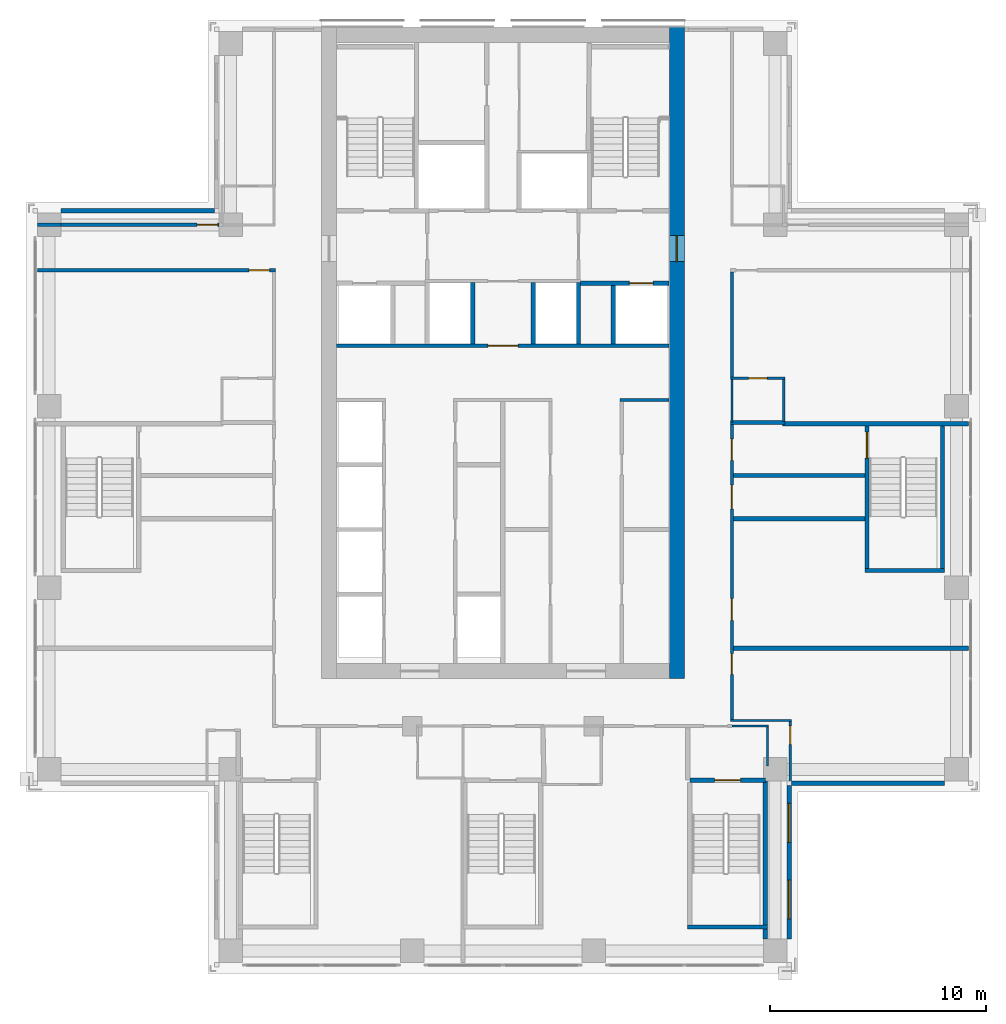
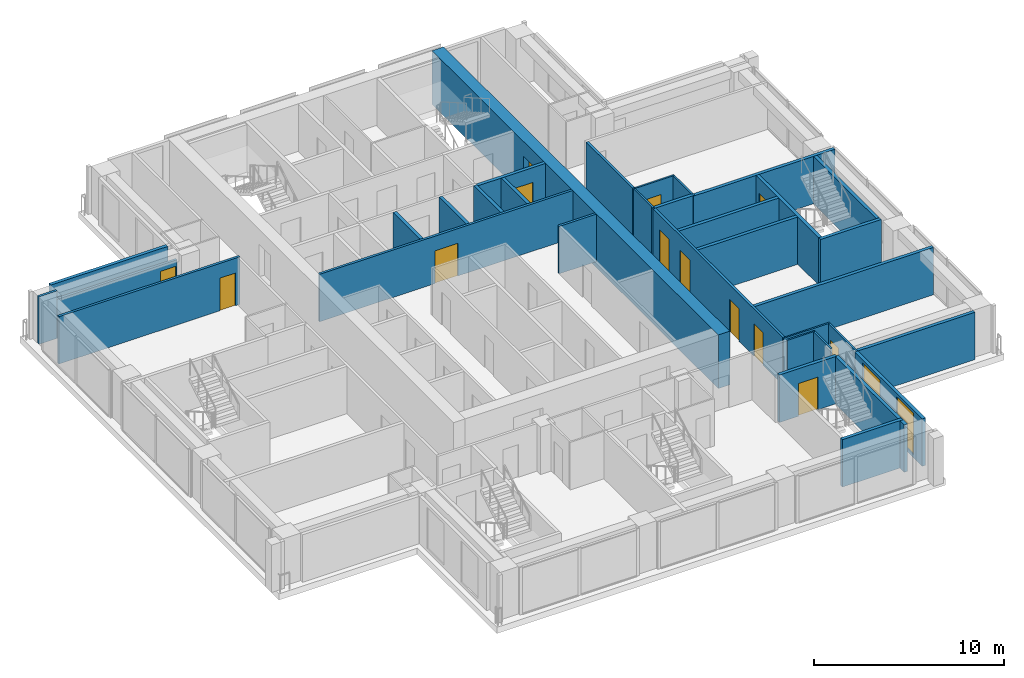
# One storey, part 11 of 16: 34 walls, 13 doors, 2 windows, 15 openings.
"""IFC4 building model written with IfcOpenShell, lengths in metres."""

import ifcopenshell
import ifcopenshell.guid

model = None  # the IFC model being written
_history = None  # IfcOwnerHistory: only IFC2X3 demands one
_inside = {}  # id of a spatial element -> (the spatial element, [elements in it])
_under = {}  # id of a project, library or spatial element -> (it, [spatial elements below it])
_declared = {}  # id of a project -> (the project, [libraries it declares])
_typed = {}  # id of a type object -> (the type object, [elements of that type])
_made_of = {}  # id of a material, layer set ... -> (it, [elements and type objects made of it])


def new_model(schema):
    """Start an empty IFC model of exactly this schema.

    Asked for "IFC4X3", IfcOpenShell would pick the latest addendum, in which some entities
    have other attributes; the version numbers below select the first issue.
    IFC2X3 requires an IfcOwnerHistory on every rooted entity: one is made here for all.
    """
    global model, _history
    if schema == "IFC4X3":
        model = ifcopenshell.file(schema_version=(4, 3, 0, 0))
    else:
        model = ifcopenshell.file(schema=schema)
    _inside.clear()
    _under.clear()
    _declared.clear()
    _typed.clear()
    _made_of.clear()
    _history = None
    if model.schema == "IFC2X3":
        org = make("IfcOrganization", Name="unknown")
        user = make(
            "IfcPersonAndOrganization",
            ThePerson=make("IfcPerson", FamilyName="unknown"),
            TheOrganization=org,
        )
        app = make(
            "IfcApplication",
            ApplicationDeveloper=org,
            Version="unknown",
            ApplicationFullName="unknown",
            ApplicationIdentifier="unknown",
        )
        _history = make(
            "IfcOwnerHistory",
            OwningUser=user,
            OwningApplication=app,
            ChangeAction="ADDED",
            CreationDate=0,
        )
    return model


def make(cls, **values):
    """One entity of the class cls with the attributes given. An attribute that is None is left unset."""
    return model.create_entity(
        cls, **{name: value for name, value in values.items() if value is not None}
    )


def rooted(cls, **values):
    """An entity with a GlobalId (a new one), such as an element, a storey or a relation."""
    return make(cls, GlobalId=ifcopenshell.guid.new(), OwnerHistory=_history, **values)


def si_unit(unit_type, name, prefix=None):
    """IfcSIUnit, for example si_unit("LENGTHUNIT", "METRE", prefix="MILLI")."""
    return make("IfcSIUnit", UnitType=unit_type, Prefix=prefix, Name=name)


def assignment(units):
    """IfcUnitAssignment: the units of a project."""
    return None if units is None else make("IfcUnitAssignment", Units=units)


def point(xyz):
    """IfcCartesianPoint."""
    return None if xyz is None else make("IfcCartesianPoint", Coordinates=xyz)


def direction(xyz):
    """IfcDirection."""
    return None if xyz is None else make("IfcDirection", DirectionRatios=xyz)


def frame(location, z_axis=None, x_axis=None):
    """IfcAxis2Placement3D, a coordinate frame: its origin and axes. An axis left out is left unset."""
    return make(
        "IfcAxis2Placement3D",
        Location=point(location),
        Axis=direction(z_axis),
        RefDirection=direction(x_axis),
    )


def frame_2d(location, x_axis=None):
    """IfcAxis2Placement2D, a coordinate frame in the plane: its origin and x axis."""
    return make(
        "IfcAxis2Placement2D", Location=point(location), RefDirection=direction(x_axis)
    )


def origin():
    """The frame at (0, 0, 0) with its axes left unset."""
    return frame((0.0, 0.0, 0.0))


def place(relative_to, where):
    """IfcLocalPlacement: puts the frame where relative to a parent placement (None: the world)."""
    return make(
        "IfcLocalPlacement", PlacementRelTo=relative_to, RelativePlacement=where
    )


def context(
    kind, dimensions, precision=None, world=None, true_north=None, identifier=None
):
    """IfcGeometricRepresentationContext, for example the 3D "Model" context."""
    return make(
        "IfcGeometricRepresentationContext",
        ContextIdentifier=identifier,
        ContextType=kind,
        CoordinateSpaceDimension=dimensions,
        Precision=precision,
        WorldCoordinateSystem=world,
        TrueNorth=true_north,
    )


def subcontext(parent, identifier, kind, view, scale=None):
    """IfcGeometricRepresentationSubContext, for example "Body" below "Model"."""
    return make(
        "IfcGeometricRepresentationSubContext",
        ContextIdentifier=identifier,
        ContextType=kind,
        ParentContext=parent,
        TargetScale=scale,
        TargetView=view,
    )


def project(units=None, contexts=None):
    """IfcProject with its units and contexts."""
    return rooted(
        "IfcProject",
        Name="project",
        RepresentationContexts=contexts,
        UnitsInContext=assignment(units),
    )


def spatial(cls, under=None, at=None, **own):
    """A site, building, storey or space (cls), placed at a placement, below another one or the project."""
    s = rooted(cls, ObjectPlacement=at, **own)
    if under is not None:
        _under.setdefault(under.id(), (under, []))[1].append(s)
    return s


def profile(cls, at=None, kind="AREA", **sizes):
    """A parametric profile (cls). Its sizes go by their IFC names, for example OverallWidth=200.0."""
    return make(cls, ProfileType=kind, Position=at, **sizes)


def rectangle(**sizes):
    """IfcRectangleProfileDef."""
    return profile("IfcRectangleProfileDef", **sizes)


def extrude(swept, where, along, depth):
    """IfcExtrudedAreaSolid: the profile swept, set in the frame where, extruded along a direction by depth."""
    return make(
        "IfcExtrudedAreaSolid",
        SweptArea=swept,
        Position=where,
        ExtrudedDirection=direction(along),
        Depth=depth,
    )


def shape(context_of_items, identifier, shape_type, items):
    """IfcShapeRepresentation: the items that make up one representation, for example the "Body"."""
    return make(
        "IfcShapeRepresentation",
        ContextOfItems=context_of_items,
        RepresentationIdentifier=identifier,
        RepresentationType=shape_type,
        Items=items,
    )


def material(Name=None, Category=None):
    """IfcMaterial."""
    return make("IfcMaterial", Name=Name, Category=Category)


def layer(
    of_material, thickness, ventilated=None, Name=None, Category=None, Priority=None
):
    """IfcMaterialLayer: one layer of a wall or slab, of a material (None: an air gap)."""
    return make(
        "IfcMaterialLayer",
        Material=of_material,
        LayerThickness=thickness,
        IsVentilated=ventilated,
        Name=Name,
        Category=Category,
        Priority=Priority,
    )


def layer_set(layers, Name=None):
    """IfcMaterialLayerSet."""
    return make("IfcMaterialLayerSet", MaterialLayers=layers, LayerSetName=Name)


def made_of(thing, what):
    """Note that an element or type object is made of a material, layer set ...; save() writes the relation."""
    if what is not None:
        _made_of.setdefault(what.id(), (what, []))[1].append(thing)
    return thing


def type_object(cls, material=None, **own):
    """A type object (cls), such as IfcWallType, which elements share."""
    return made_of(rooted(cls, **own), material)


def element(
    cls,
    number,
    at=None,
    inside=None,
    cuts=None,
    type_object=None,
    material=None,
    context=None,
    identifier="Body",
    shape_type=None,
    held_by="IfcProductDefinitionShape",
    body=None,
    shapes=None,
    **own,
):
    """One element of the class cls, such as IfcWall. Its Tag is "e" and its number.

    at: its placement. inside: the storey or other place that contains it. cuts: it is an
    opening in that element (IfcRelVoidsElement). A single representation is given by context,
    identifier, shape_type and body (its items); several are given by shapes. held_by: the class
    of the entity that holds the representations. save() writes the other relations.
    """
    e = rooted(cls, Tag="e%d" % number, ObjectPlacement=at, **own)
    if body is not None:
        shapes = [shape(context, identifier, shape_type, body)]
    if shapes is not None:
        e.Representation = make(held_by, Representations=shapes)
    if inside is not None:
        _inside.setdefault(inside.id(), (inside, []))[1].append(e)
    if cuts is not None:
        rooted(
            "IfcRelVoidsElement", RelatingBuildingElement=cuts, RelatedOpeningElement=e
        )
    if type_object is not None:
        _typed.setdefault(type_object.id(), (type_object, []))[1].append(e)
    return made_of(e, material)


def fill(opening, filler):
    """IfcRelFillsElement: the door or window that sits in an opening."""
    return rooted(
        "IfcRelFillsElement",
        RelatingOpeningElement=opening,
        RelatedBuildingElement=filler,
    )


def aggregate(whole, parts):
    """IfcRelAggregates: a whole, such as a stair, and the parts it consists of."""
    return rooted("IfcRelAggregates", RelatingObject=whole, RelatedObjects=parts)


def save(model, path):
    """Write the relations noted so far, then the file.

    IfcRelAggregates (storeys below a building ...), IfcRelContainedInSpatialStructure (elements
    in a storey), IfcRelDefinesByType, IfcRelAssociatesMaterial and IfcRelDeclares: one each for
    every whole, place, type object, material and project.
    """
    for whole, parts in _under.values():
        aggregate(whole, parts)
    for where, things in _inside.values():
        rooted(
            "IfcRelContainedInSpatialStructure",
            RelatedElements=things,
            RelatingStructure=where,
        )
    for kind, things in _typed.values():
        rooted("IfcRelDefinesByType", RelatedObjects=things, RelatingType=kind)
    for what, things in _made_of.values():
        rooted("IfcRelAssociatesMaterial", RelatedObjects=things, RelatingMaterial=what)
    for by, libraries in _declared.values():
        rooted("IfcRelDeclares", RelatingContext=by, RelatedDefinitions=libraries)
    model.write(path)


model = new_model("IFC4")

# Units and contexts
model_context = context("Model", 3, precision=1e-05, world=origin(), true_north=direction((0.0, 1.0)))
body_context = subcontext(model_context, "Body", "Model", "MODEL_VIEW")
ifc_project = project(units=[si_unit("LENGTHUNIT", "METRE"), si_unit("AREAUNIT", "SQUARE_METRE"), si_unit("VOLUMEUNIT", "CUBIC_METRE"), si_unit("PLANEANGLEUNIT", "RADIAN"), si_unit("MASSUNIT", "GRAM", prefix="KILO")], contexts=[model_context])

# Site, building, storey
site_placement = place(None, origin())
site = spatial("IfcSite", under=ifc_project, at=site_placement, CompositionType="ELEMENT")
building_placement = place(site_placement, origin())
building = spatial("IfcBuilding", under=site, at=building_placement, Name="Vermilion Ogive Tower", CompositionType="ELEMENT")
storey_placement = place(building_placement, frame((0.0, 0.0, 140.0)))
storey = spatial("IfcBuildingStorey", under=building, at=storey_placement, Name="L35", CompositionType="ELEMENT", Elevation=140.0)

# Walls
ifc_material_1 = material(Name="Gypsum board partition on steel studs", Category="steel")
ifc_layer_1 = layer(ifc_material_1, 0.10009765625)
ifc_layer_set_1 = layer_set([ifc_layer_1], Name="Partition 100 bath")
wall_type_1 = type_object("IfcWallType", Name="Partition 100 bath", PredefinedType="PARTITIONING", material=ifc_layer_set_1)
wall_1_placement = place(storey_placement, frame((10.60009765625, -10.60009765625, 0.0), z_axis=(0.0, 0.0, 1.0), x_axis=(1.0, 0.0, 0.0)))
element("IfcWall", 1, at=wall_1_placement, inside=storey, type_object=wall_type_1, Name="L35-W-W013", PredefinedType="PARTITIONING", context=body_context, shape_type="SweptSolid", body=[
    extrude(rectangle(XDim=1.699951171875, YDim=0.10009765625, at=frame_2d((0.85009765625, 0.0))), origin(), (0.0, 0.0, 1.0), 3.050048828125),
])
wall_2_placement = place(storey_placement, frame((10.52490234375, -10.340087890625, 0.0), z_axis=(0.0, 0.0, 1.0), x_axis=(1.0, 0.0, 0.0)))
element("IfcWall", 2, at=wall_2_placement, inside=storey, type_object=wall_type_1, Name="L35-W-W014", PredefinedType="PARTITIONING", context=body_context, shape_type="SweptSolid", body=[
    extrude(rectangle(XDim=2.8251953125, YDim=0.10009765625, at=frame_2d((1.41259765625, 0.0))), origin(), (0.0, 0.0, 1.0), 3.050048828125),
])

# Wall, opening, door
wall_3_placement = place(storey_placement, frame((10.52490234375, 5.5, 0.0), z_axis=(0.0, 0.0, 1.0), x_axis=(1.0, 0.0, 0.0)))
wall_3 = element("IfcWall", 3, at=wall_3_placement, inside=storey, type_object=wall_type_1, Name="L35-W-W028", PredefinedType="PARTITIONING", context=body_context, shape_type="SweptSolid", body=[
    extrude(rectangle(XDim=2.525146484375, YDim=0.10009765625, at=frame_2d((1.2626953125, 0.0))), origin(), (0.0, 0.0, 1.0), 3.050048828125),
])
opening_1_placement = place(wall_3_placement, frame((0.85009765625, 0.0, 0.0)))
opening_1 = element("IfcOpeningElement", 4, at=opening_1_placement, cuts=wall_3, Name="Opening D3G1014", PredefinedType="OPENING", context=body_context, shape_type="SweptSolid", body=[
    extrude(rectangle(XDim=0.85009765625, YDim=2.10009765625, at=frame_2d((0.425048828125, 1.050048828125))), frame((0.0, 0.06005859375, 0.0), z_axis=(0.0, -1.0, 0.0), x_axis=(1.0, 0.0, 0.0)), (0.0, 0.0, 1.0), 0.1201171875),
])
ifc_material_2 = material(Name="Timber door leaf", Category="wood")
door_type_1 = type_object("IfcDoorType", Name="Bath door 850 x 2100 FD30", OperationType="SINGLE_SWING_LEFT", PredefinedType="DOOR", material=ifc_material_2)
door_1_placement = place(opening_1_placement, origin())
door_1 = element("IfcDoor", 5, at=door_1_placement, inside=storey, type_object=door_type_1, Name="L35-D-D014", OperationType="SINGLE_SWING_RIGHT", OverallHeight=2.10009765625, OverallWidth=0.85009765625, PredefinedType="DOOR", context=body_context, shape_type="SweptSolid", body=[
    extrude(rectangle(XDim=0.85009765625, YDim=2.10009765625, at=frame_2d((0.425048828125, 1.050048828125))), frame((0.0, 0.02490234375, 0.0), z_axis=(0.0, -1.0, 0.0), x_axis=(1.0, 0.0, 0.0)), (0.0, 0.0, 1.0), 0.050048828125),
])
fill(opening_1, door_1)

# Walls
wall_4_placement = place(storey_placement, frame((10.60009765625, 3.449951171875, 0.0), z_axis=(0.0, 0.0, 1.0), x_axis=(0.0, 1.0, 0.0)))
element("IfcWall", 6, at=wall_4_placement, inside=storey, type_object=wall_type_1, Name="L35-W-W059", PredefinedType="PARTITIONING", context=body_context, shape_type="SweptSolid", body=[
    extrude(rectangle(XDim=2.0, YDim=0.10009765625, at=frame_2d((1.0, 0.0))), origin(), (0.0, 0.0, 1.0), 3.050048828125),
])
wall_5_placement = place(storey_placement, frame((12.25, -12.43994140625, 0.0), z_axis=(0.0, 0.0, 1.0), x_axis=(0.0, 1.0, 0.0)))
element("IfcWall", 7, at=wall_5_placement, inside=storey, type_object=wall_type_1, Name="L35-W-W063", PredefinedType="PARTITIONING", context=body_context, shape_type="SweptSolid", body=[
    extrude(rectangle(XDim=1.7900390625, YDim=0.10009765625, at=frame_2d((0.89501953125, 0.0))), origin(), (0.0, 0.0, 1.0), 3.050048828125),
])
wall_6_placement = place(storey_placement, frame((13.0, 3.5, 0.0), z_axis=(0.0, 0.0, 1.0), x_axis=(0.0, 1.0, 0.0)))
element("IfcWall", 8, at=wall_6_placement, inside=storey, type_object=wall_type_1, Name="L35-W-W064", PredefinedType="PARTITIONING", context=body_context, shape_type="SweptSolid", body=[
    extrude(rectangle(XDim=1.949951171875, YDim=0.10009765625, at=frame_2d((0.97509765625, 0.0))), origin(), (0.0, 0.0, 1.0), 3.050048828125),
])

# Wall, opening, door
wall_7_placement = place(storey_placement, frame((13.300048828125, -13.35009765625, 0.0), z_axis=(0.0, 0.0, 1.0), x_axis=(0.0, 1.0, 0.0)))
wall_7 = element("IfcWall", 9, at=wall_7_placement, inside=storey, type_object=wall_type_1, Name="L35-W-W066", PredefinedType="PARTITIONING", context=body_context, shape_type="SweptSolid", body=[
    extrude(rectangle(XDim=2.960205078125, YDim=0.10009765625, at=frame_2d((1.47998046875, 0.0))), origin(), (0.0, 0.0, 1.0), 3.050048828125),
])
opening_2_placement = place(wall_7_placement, frame((1.91015625, 0.0, 0.0)))
opening_2 = element("IfcOpeningElement", 10, at=opening_2_placement, cuts=wall_7, Name="Opening D3G1012", PredefinedType="OPENING", context=body_context, shape_type="SweptSolid", body=[
    extrude(rectangle(XDim=0.85009765625, YDim=2.10009765625, at=frame_2d((0.425048828125, 1.050048828125))), frame((0.0, 0.06005859375, 0.0), z_axis=(0.0, -1.0, 0.0), x_axis=(1.0, 0.0, 0.0)), (0.0, 0.0, 1.0), 0.1201171875),
])
door_2_placement = place(opening_2_placement, origin())
door_2 = element("IfcDoor", 11, at=door_2_placement, inside=storey, type_object=door_type_1, Name="L35-D-D012", OperationType="SINGLE_SWING_LEFT", OverallHeight=2.10009765625, OverallWidth=0.85009765625, PredefinedType="DOOR", context=body_context, shape_type="SweptSolid", body=[
    extrude(rectangle(XDim=0.85009765625, YDim=2.10009765625, at=frame_2d((0.425048828125, 1.050048828125))), frame((0.0, 0.02490234375, 0.0), z_axis=(0.0, -1.0, 0.0), x_axis=(1.0, 0.0, 0.0)), (0.0, 0.0, 1.0), 0.050048828125),
])
fill(opening_2, door_2)

ifc_material_3 = material(Name="Gypsum board partition on steel studs", Category="steel")
ifc_layer_2 = layer(ifc_material_3, 0.14990234375)
ifc_layer_set_2 = layer_set([ifc_layer_2], Name="Partition 150 corridor")
wall_type_2 = type_object("IfcWallType", Name="Partition 150 corridor", PredefinedType="PARTITIONING", material=ifc_layer_set_2)
wall_8_placement = place(storey_placement, frame((-21.550048828125, 10.5, 0.0), z_axis=(0.0, 0.0, 1.0), x_axis=(1.0, 0.0, 0.0)))
wall_8 = element("IfcWall", 12, at=wall_8_placement, inside=storey, type_object=wall_type_2, Name="L35-W-W029", PredefinedType="PARTITIONING", context=body_context, shape_type="SweptSolid", body=[
    extrude(rectangle(XDim=11.025146484375, YDim=0.14990234375, at=frame_2d((5.5126953125, 0.0))), origin(), (0.0, 0.0, 1.0), 3.050048828125),
])
opening_3_placement = place(wall_8_placement, frame((9.800048828125, 0.0, 0.0)))
opening_3 = element("IfcOpeningElement", 13, at=opening_3_placement, cuts=wall_8, Name="Opening D3G1003", PredefinedType="OPENING", context=body_context, shape_type="SweptSolid", body=[
    extrude(rectangle(XDim=0.949951171875, YDim=2.10009765625, at=frame_2d((0.47509765625, 1.050048828125))), frame((0.0, 0.0849609375, 0.0), z_axis=(0.0, -1.0, 0.0), x_axis=(1.0, 0.0, 0.0)), (0.0, 0.0, 1.0), 0.169921875),
])
ifc_material_4 = material(Name="Timber door leaf", Category="wood")
door_type_2 = type_object("IfcDoorType", Name="Unit door 950 x 2100 FD30S", OperationType="SINGLE_SWING_LEFT", PredefinedType="DOOR", material=ifc_material_4)
door_3_placement = place(opening_3_placement, origin())
door_3 = element("IfcDoor", 14, at=door_3_placement, inside=storey, type_object=door_type_2, Name="L35-D-D003", OperationType="SINGLE_SWING_RIGHT", OverallHeight=2.10009765625, OverallWidth=0.949951171875, PredefinedType="DOOR", context=body_context, shape_type="SweptSolid", body=[
    extrude(rectangle(XDim=0.949951171875, YDim=2.10009765625, at=frame_2d((0.47509765625, 1.050048828125))), frame((0.0, 0.02490234375, 0.0), z_axis=(0.0, -1.0, 0.0), x_axis=(1.0, 0.0, 0.0)), (0.0, 0.0, 1.0), 0.050048828125),
])
fill(opening_3, door_3)

# Wall
wall_9_placement = place(storey_placement, frame((-21.550048828125, 12.60009765625, 0.0), z_axis=(0.0, 0.0, 1.0), x_axis=(1.0, 0.0, 0.0)))
element("IfcWall", 15, at=wall_9_placement, inside=storey, type_object=wall_type_2, Name="L35-W-W031", PredefinedType="PARTITIONING", context=body_context, shape_type="SweptSolid", body=[
    extrude(rectangle(XDim=1.10009765625, YDim=0.14990234375, at=frame_2d((0.550048828125, 0.0))), origin(), (0.0, 0.0, 1.0), 3.050048828125),
])

# Wall, openings, doors
wall_10_placement = place(storey_placement, frame((10.60009765625, -10.2900390625, 0.0), z_axis=(0.0, 0.0, 1.0), x_axis=(0.0, 1.0, 0.0)))
wall_10 = element("IfcWall", 16, at=wall_10_placement, inside=storey, type_object=wall_type_2, Name="L35-W-W058", PredefinedType="PARTITIONING", context=body_context, shape_type="SweptSolid", body=[
    extrude(rectangle(XDim=13.64013671875, YDim=0.14990234375, at=frame_2d((6.820068359375, 0.0))), origin(), (0.0, 0.0, 1.0), 3.050048828125),
])
opening_4_placement = place(wall_10_placement, frame((2.090087890625, 0.0, 0.0)))
opening_4 = element("IfcOpeningElement", 17, at=opening_4_placement, cuts=wall_10, Name="Opening D3G1011", PredefinedType="OPENING", context=body_context, shape_type="SweptSolid", body=[
    extrude(rectangle(XDim=0.949951171875, YDim=2.10009765625, at=frame_2d((0.47509765625, 1.050048828125))), frame((0.0, 0.0849609375, 0.0), z_axis=(0.0, -1.0, 0.0), x_axis=(1.0, 0.0, 0.0)), (0.0, 0.0, 1.0), 0.169921875),
])
opening_5_placement = place(wall_10_placement, frame((9.739990234375, 0.0, 0.0)))
opening_5 = element("IfcOpeningElement", 18, at=opening_5_placement, cuts=wall_10, Name="Opening D3G1023", PredefinedType="OPENING", context=body_context, shape_type="SweptSolid", body=[
    extrude(rectangle(XDim=1.10009765625, YDim=2.10009765625, at=frame_2d((0.550048828125, 1.050048828125))), frame((0.0, 0.0849609375, 0.0), z_axis=(0.0, -1.0, 0.0), x_axis=(1.0, 0.0, 0.0)), (0.0, 0.0, 1.0), 0.169921875),
])
opening_6_placement = place(wall_10_placement, frame((4.590087890625, 0.0, 0.0)))
opening_6 = element("IfcOpeningElement", 19, at=opening_6_placement, cuts=wall_10, Name="Opening D3G1028", PredefinedType="OPENING", context=body_context, shape_type="SweptSolid", body=[
    extrude(rectangle(XDim=1.0, YDim=2.10009765625, at=frame_2d((0.5, 1.050048828125))), frame((0.0, 0.0849609375, 0.0), z_axis=(0.0, -1.0, 0.0), x_axis=(1.0, 0.0, 0.0)), (0.0, 0.0, 1.0), 0.169921875),
])
opening_7_placement = place(wall_10_placement, frame((11.989990234375, 0.0, 0.0)))
opening_7 = element("IfcOpeningElement", 20, at=opening_7_placement, cuts=wall_10, Name="Opening D3G1030", PredefinedType="OPENING", context=body_context, shape_type="SweptSolid", body=[
    extrude(rectangle(XDim=1.0, YDim=2.10009765625, at=frame_2d((0.5, 1.050048828125))), frame((0.0, 0.0849609375, 0.0), z_axis=(0.0, -1.0, 0.0), x_axis=(1.0, 0.0, 0.0)), (0.0, 0.0, 1.0), 0.169921875),
])
ifc_material_5 = material(Name="Timber door leaf", Category="wood")
door_type_3 = type_object("IfcDoorType", Name="Stair door 1100 x 2100 FD60S", OperationType="SINGLE_SWING_LEFT", PredefinedType="DOOR", material=ifc_material_5)
door_4_placement = place(opening_5_placement, origin())
door_4 = element("IfcDoor", 21, at=door_4_placement, inside=storey, type_object=door_type_3, Name="L35-D-D023", OperationType="SINGLE_SWING_LEFT", OverallHeight=2.10009765625, OverallWidth=1.10009765625, PredefinedType="DOOR", context=body_context, shape_type="SweptSolid", body=[
    extrude(rectangle(XDim=1.10009765625, YDim=2.10009765625, at=frame_2d((0.550048828125, 1.050048828125))), frame((0.0, 0.02490234375, 0.0), z_axis=(0.0, -1.0, 0.0), x_axis=(1.0, 0.0, 0.0)), (0.0, 0.0, 1.0), 0.050048828125),
])
fill(opening_5, door_4)
ifc_material_6 = material(Name="Timber door leaf", Category="wood")
door_type_4 = type_object("IfcDoorType", Name="Unit door 1000 x 2100 FD30S", OperationType="SINGLE_SWING_LEFT", PredefinedType="DOOR", material=ifc_material_6)
door_5_placement = place(opening_6_placement, origin())
door_5 = element("IfcDoor", 22, at=door_5_placement, inside=storey, type_object=door_type_4, Name="L35-D-D028", OperationType="SINGLE_SWING_RIGHT", OverallHeight=2.10009765625, OverallWidth=1.0, PredefinedType="DOOR", context=body_context, shape_type="SweptSolid", body=[
    extrude(rectangle(XDim=1.0, YDim=2.10009765625, at=frame_2d((0.5, 1.050048828125))), frame((0.0, 0.02490234375, 0.0), z_axis=(0.0, -1.0, 0.0), x_axis=(1.0, 0.0, 0.0)), (0.0, 0.0, 1.0), 0.050048828125),
])
fill(opening_6, door_5)
door_6_placement = place(opening_7_placement, origin())
door_6 = element("IfcDoor", 23, at=door_6_placement, inside=storey, type_object=door_type_4, Name="L35-D-D030", OperationType="SINGLE_SWING_LEFT", OverallHeight=2.10009765625, OverallWidth=1.0, PredefinedType="DOOR", context=body_context, shape_type="SweptSolid", body=[
    extrude(rectangle(XDim=1.0, YDim=2.10009765625, at=frame_2d((0.5, 1.050048828125))), frame((0.0, 0.02490234375, 0.0), z_axis=(0.0, -1.0, 0.0), x_axis=(1.0, 0.0, 0.0)), (0.0, 0.0, 1.0), 0.050048828125),
])
fill(opening_7, door_6)
door_7_placement = place(opening_4_placement, origin())
door_7 = element("IfcDoor", 24, at=door_7_placement, inside=storey, type_object=door_type_2, Name="L35-D-D011", OperationType="SINGLE_SWING_LEFT", OverallHeight=2.10009765625, OverallWidth=0.949951171875, PredefinedType="DOOR", context=body_context, shape_type="SweptSolid", body=[
    extrude(rectangle(XDim=0.949951171875, YDim=2.10009765625, at=frame_2d((0.47509765625, 1.050048828125))), frame((0.0, 0.02490234375, 0.0), z_axis=(0.0, -1.0, 0.0), x_axis=(1.0, 0.0, 0.0)), (0.0, 0.0, 1.0), 0.050048828125),
])
fill(opening_4, door_7)

# Walls
wall_11_placement = place(storey_placement, frame((10.60009765625, 5.550048828125, 0.0), z_axis=(0.0, 0.0, 1.0), x_axis=(0.0, 1.0, 0.0)))
element("IfcWall", 25, at=wall_11_placement, inside=storey, type_object=wall_type_2, Name="L35-W-W060", PredefinedType="PARTITIONING", context=body_context, shape_type="SweptSolid", body=[
    extrude(rectangle(XDim=4.875, YDim=0.14990234375, at=frame_2d((2.4375, 0.0))), origin(), (0.0, 0.0, 1.0), 3.050048828125),
])
wall_12_placement = place(storey_placement, frame((5.425048828125, 4.5, 0.0), z_axis=(0.0, 0.0, 1.0), x_axis=(1.0, 0.0, 0.0)))
element("IfcWall", 26, at=wall_12_placement, inside=storey, type_object=wall_type_2, Name="L35-CK-W-W010", PredefinedType="PARTITIONING", context=body_context, shape_type="SweptSolid", body=[
    extrude(rectangle(XDim=2.27392578125, YDim=0.14990234375, at=frame_2d((1.136962890625, 0.0))), origin(), (0.0, 0.0, 1.0), 3.050048828125),
])

# Wall, opening, door
wall_13_placement = place(storey_placement, frame((-7.698974609375, 7.0, 0.0), z_axis=(0.0, 0.0, 1.0), x_axis=(1.0, 0.0, 0.0)))
wall_13 = element("IfcWall", 27, at=wall_13_placement, inside=storey, type_object=wall_type_2, Name="L35-CK-W-W011", PredefinedType="PARTITIONING", context=body_context, shape_type="SweptSolid", body=[
    extrude(rectangle(XDim=15.39794921875, YDim=0.14990234375, at=frame_2d((7.698974609375, 0.0))), origin(), (0.0, 0.0, 1.0), 3.050048828125),
])
opening_8_placement = place(wall_13_placement, frame((6.9990234375, 0.0, 0.0)))
opening_8 = element("IfcOpeningElement", 28, at=opening_8_placement, cuts=wall_13, Name="Opening DAA278", PredefinedType="OPENING", context=body_context, shape_type="SweptSolid", body=[
    extrude(rectangle(XDim=1.39990234375, YDim=2.10009765625, at=frame_2d((0.699951171875, 1.050048828125))), frame((0.0, 0.0849609375, 0.0), z_axis=(0.0, -1.0, 0.0), x_axis=(1.0, 0.0, 0.0)), (0.0, 0.0, 1.0), 0.169921875),
])
ifc_material_7 = material(Name="Timber door leaf", Category="wood")
door_type_5 = type_object("IfcDoorType", Name="Lobby door 1400 x 2100 FD60S", OperationType="SINGLE_SWING_LEFT", PredefinedType="DOOR", material=ifc_material_7)
door_8_placement = place(opening_8_placement, origin())
door_8 = element("IfcDoor", 29, at=door_8_placement, inside=storey, type_object=door_type_5, Name="L35-CK-D-D016", OperationType="SINGLE_SWING_RIGHT", OverallHeight=2.10009765625, OverallWidth=1.39990234375, PredefinedType="DOOR", context=body_context, shape_type="SweptSolid", body=[
    extrude(rectangle(XDim=1.39990234375, YDim=2.10009765625, at=frame_2d((0.699951171875, 1.050048828125))), frame((0.0, 0.02490234375, 0.0), z_axis=(0.0, -1.0, 0.0), x_axis=(1.0, 0.0, 0.0)), (0.0, 0.0, 1.0), 0.050048828125),
])
fill(opening_8, door_8)

wall_14_placement = place(storey_placement, frame((-20.449951171875, 12.60009765625, 0.0), z_axis=(0.0, 0.0, 1.0), x_axis=(1.0, 0.0, 0.0)))
wall_14 = element("IfcWall", 30, at=wall_14_placement, inside=storey, type_object=wall_type_2, Name="L35-W-W031-h1", PredefinedType="PARTITIONING", context=body_context, shape_type="SweptSolid", body=[
    extrude(rectangle(XDim=7.300048828125, YDim=0.14990234375, at=frame_2d((3.64990234375, 0.0))), origin(), (0.0, 0.0, 1.0), 2.5),
])
opening_9_placement = place(wall_14_placement, frame((6.300048828125, 0.0, 0.0)))
opening_9 = element("IfcOpeningElement", 31, at=opening_9_placement, cuts=wall_14, Name="Opening D3G1005", PredefinedType="OPENING", context=body_context, shape_type="SweptSolid", body=[
    extrude(rectangle(XDim=0.949951171875, YDim=2.10009765625, at=frame_2d((0.47509765625, 1.050048828125))), frame((0.0, 0.0849609375, 0.0), z_axis=(0.0, -1.0, 0.0), x_axis=(1.0, 0.0, 0.0)), (0.0, 0.0, 1.0), 0.169921875),
])
door_9_placement = place(opening_9_placement, origin())
door_9 = element("IfcDoor", 32, at=door_9_placement, inside=storey, type_object=door_type_2, Name="L35-D-D005", OperationType="SINGLE_SWING_LEFT", OverallHeight=2.10009765625, OverallWidth=0.949951171875, PredefinedType="DOOR", context=body_context, shape_type="SweptSolid", body=[
    extrude(rectangle(XDim=0.949951171875, YDim=2.10009765625, at=frame_2d((0.47509765625, 1.050048828125))), frame((0.0, 0.02490234375, 0.0), z_axis=(0.0, -1.0, 0.0), x_axis=(1.0, 0.0, 0.0)), (0.0, 0.0, 1.0), 0.050048828125),
])
fill(opening_9, door_9)

# Walls
ifc_material_8 = material(Name="Gypsum board partition on steel studs", Category="steel")
ifc_layer_3 = layer(ifc_material_8, 0.199951171875)
ifc_layer_set_3 = layer_set([ifc_layer_3], Name="Partition 200 party")
wall_type_3 = type_object("IfcWallType", Name="Partition 200 party", PredefinedType="PARTITIONING", material=ifc_layer_set_3)
wall_15_placement = place(storey_placement, frame((10.675048828125, -7.0, 0.0), z_axis=(0.0, 0.0, 1.0), x_axis=(1.0, 0.0, 0.0)))
element("IfcWall", 33, at=wall_15_placement, inside=storey, type_object=wall_type_3, Name="L35-W-W016", PredefinedType="PARTITIONING", context=body_context, shape_type="SweptSolid", body=[
    extrude(rectangle(XDim=10.875, YDim=0.199951171875, at=frame_2d((5.4375, 0.0))), origin(), (0.0, 0.0, 1.0), 3.050048828125),
])
wall_16_placement = place(storey_placement, frame((10.677001953125, -1.0, 0.0), z_axis=(0.0, 0.0, 1.0), x_axis=(1.0, 0.0, 0.0)))
element("IfcWall", 34, at=wall_16_placement, inside=storey, type_object=wall_type_3, Name="L35-W-W020", PredefinedType="PARTITIONING", context=body_context, shape_type="SweptSolid", body=[
    extrude(rectangle(XDim=6.071044921875, YDim=0.199951171875, at=frame_2d((3.03564453125, 0.0))), origin(), (0.0, 0.0, 1.0), 3.050048828125),
])
wall_17_placement = place(storey_placement, frame((10.675048828125, 1.0, 0.0), z_axis=(0.0, 0.0, 1.0), x_axis=(1.0, 0.0, 0.0)))
element("IfcWall", 35, at=wall_17_placement, inside=storey, type_object=wall_type_3, Name="L35-W-W022", PredefinedType="PARTITIONING", context=body_context, shape_type="SweptSolid", body=[
    extrude(rectangle(XDim=6.074951171875, YDim=0.199951171875, at=frame_2d((3.03759765625, 0.0))), origin(), (0.0, 0.0, 1.0), 3.050048828125),
])

# Wall, opening, door
wall_18_placement = place(storey_placement, frame((3.60009765625, 9.89990234375, 0.0), z_axis=(0.0, 0.0, 1.0), x_axis=(1.0, 0.0, 0.0)))
wall_18 = element("IfcWall", 36, at=wall_18_placement, inside=storey, type_object=wall_type_3, Name="L35-CK-W-W013", PredefinedType="PARTITIONING", context=body_context, shape_type="SweptSolid", body=[
    extrude(rectangle(XDim=4.098876953125, YDim=0.199951171875, at=frame_2d((2.04931640625, 0.0))), origin(), (0.0, 0.0, 1.0), 3.050048828125),
])
opening_10_placement = place(wall_18_placement, frame((2.25, 0.0, 0.0)))
opening_10 = element("IfcOpeningElement", 37, at=opening_10_placement, cuts=wall_18, Name="Opening DAA297", PredefinedType="OPENING", context=body_context, shape_type="SweptSolid", body=[
    extrude(rectangle(XDim=1.10009765625, YDim=2.10009765625, at=frame_2d((0.550048828125, 1.050048828125))), frame((0.0, 0.10986328125, 0.0), z_axis=(0.0, -1.0, 0.0), x_axis=(1.0, 0.0, 0.0)), (0.0, 0.0, 1.0), 0.219970703125),
])
ifc_material_9 = material(Name="Stainless steel", Category="steel")
door_type_6 = type_object("IfcDoorType", Name="Lift landing door 1100 x 2100", OperationType="SLIDING_TO_LEFT", PredefinedType="DOOR", material=ifc_material_9)
door_10_placement = place(opening_10_placement, origin())
door_10 = element("IfcDoor", 38, at=door_10_placement, inside=storey, type_object=door_type_6, Name="L35-CK-D-D015", OperationType="SLIDING_TO_LEFT", OverallHeight=2.10009765625, OverallWidth=1.10009765625, PredefinedType="DOOR", context=body_context, shape_type="SweptSolid", body=[
    extrude(rectangle(XDim=1.10009765625, YDim=2.10009765625, at=frame_2d((0.550048828125, 1.050048828125))), frame((0.0, 0.02490234375, 0.0), z_axis=(0.0, -1.0, 0.0), x_axis=(1.0, 0.0, 0.0)), (0.0, 0.0, 1.0), 0.050048828125),
])
fill(opening_10, door_10)

# Walls
for number, where, z_axis, x_axis, name in (
    (39, (-1.39990234375, 7.074951171875, 0.0), (0.0, 0.0, 1.0), (0.0, 1.0, 0.0), "L35-CK-W-W026"),
    (40, (1.39990234375, 7.074951171875, 0.0), (0.0, 0.0, 1.0), (0.0, 1.0, 0.0), "L35-CK-W-W031"),
    (41, (3.5, 7.074951171875, 0.0), (0.0, 0.0, 1.0), (0.0, 1.0, 0.0), "L35-CK-W-W033"),
):
    element("IfcWall", number, at=place(storey_placement, frame(where, z_axis=z_axis, x_axis=x_axis)), inside=storey, type_object=wall_type_3, Name=name, PredefinedType="PARTITIONING", context=body_context, shape_type="SweptSolid", body=[
        extrude(rectangle(XDim=2.85009765625, YDim=0.199951171875, at=frame_2d((1.425048828125, 0.0))), origin(), (0.0, 0.0, 1.0), 3.050048828125),
    ])
wall_19_placement = place(storey_placement, frame((5.10009765625, 7.074951171875, 0.0), z_axis=(0.0, 0.0, 1.0), x_axis=(0.0, 1.0, 0.0)))
element("IfcWall", 42, at=wall_19_placement, inside=storey, type_object=wall_type_3, Name="L35-CK-W-W037", PredefinedType="PARTITIONING", context=body_context, shape_type="SweptSolid", body=[
    extrude(rectangle(XDim=2.72509765625, YDim=0.199951171875, at=frame_2d((1.362548828125, 0.0))), origin(), (0.0, 0.0, 1.0), 3.050048828125),
])

# Wall, opening, door
ifc_material_10 = material(Name="Concrete B60", Category="concrete")
ifc_layer_4 = layer(ifc_material_10, 0.199951171875)
ifc_layer_set_4 = layer_set([ifc_layer_4], Name="Stair shaft wall 200 Concrete B60")
wall_type_4 = type_object("IfcWallType", Name="Stair shaft wall 200 Concrete B60", PredefinedType="SOLIDWALL", material=ifc_layer_set_4)
wall_20_placement = place(storey_placement, frame((8.050048828125, -8.39990234375, -0.39990234375), z_axis=(0.0, 0.0, 1.0), x_axis=(0.0, 1.0, 0.0)))
wall_20 = element("IfcWall", 43, at=wall_20_placement, inside=storey, type_object=wall_type_4, Name="L35-CORE-E", PredefinedType="SOLIDWALL", context=body_context, shape_type="SweptSolid", body=[
    extrude(rectangle(XDim=30.14990234375, YDim=0.699951171875, at=frame_2d((15.074951171875, 0.0))), origin(), (0.0, 0.0, 1.0), 3.449951171875),
])
opening_11_placement = place(wall_20_placement, frame((19.300048828125, 0.0, 0.39990234375)))
opening_11 = element("IfcOpeningElement", 44, at=opening_11_placement, cuts=wall_20, Name="Opening DAL013", PredefinedType="OPENING", context=body_context, shape_type="SweptSolid", body=[
    extrude(rectangle(XDim=1.199951171875, YDim=2.10009765625, at=frame_2d((0.60009765625, 1.050048828125))), frame((0.0, 0.35986328125, 0.0), z_axis=(0.0, -1.0, 0.0), x_axis=(1.0, 0.0, 0.0)), (0.0, 0.0, 1.0), 0.719970703125),
])
ifc_material_11 = material(Name="Timber door leaf", Category="wood")
door_type_7 = type_object("IfcDoorType", Name="Link door 1200 x 2100 FD60S", OperationType="SINGLE_SWING_LEFT", PredefinedType="DOOR", material=ifc_material_11)
door_11_placement = place(opening_11_placement, origin())
door_11 = element("IfcDoor", 45, at=door_11_placement, inside=storey, type_object=door_type_7, Name="L35-CK-XD4", OperationType="SINGLE_SWING_LEFT", OverallHeight=2.10009765625, OverallWidth=1.199951171875, PredefinedType="DOOR", context=body_context, shape_type="SweptSolid", body=[
    extrude(rectangle(XDim=1.199951171875, YDim=2.10009765625, at=frame_2d((0.60009765625, 1.050048828125))), frame((0.0, 0.02490234375, 0.0), z_axis=(0.0, -1.0, 0.0), x_axis=(1.0, 0.0, 0.0)), (0.0, 0.0, 1.0), 0.050048828125),
])
fill(opening_11, door_11)

wall_21_placement = place(storey_placement, frame((8.64990234375, -13.10009765625, 0.0), z_axis=(0.0, 0.0, 1.0), x_axis=(1.0, 0.0, 0.0)))
wall_21 = element("IfcWall", 46, at=wall_21_placement, inside=storey, type_object=wall_type_4, Name="L35-W-W005", PredefinedType="SOLIDWALL", context=body_context, shape_type="SweptSolid", body=[
    extrude(rectangle(XDim=3.5, YDim=0.199951171875, at=frame_2d((1.75, 0.0))), origin(), (0.0, 0.0, 1.0), 3.050048828125),
])
opening_12_placement = place(wall_21_placement, frame((1.150146484375, 0.0, 0.0)))
opening_12 = element("IfcOpeningElement", 47, at=opening_12_placement, cuts=wall_21, Name="Opening D3G1022", PredefinedType="OPENING", context=body_context, shape_type="SweptSolid", body=[
    extrude(rectangle(XDim=1.199951171875, YDim=2.10009765625, at=frame_2d((0.60009765625, 1.050048828125))), frame((0.0, 0.10986328125, 0.0), z_axis=(0.0, -1.0, 0.0), x_axis=(1.0, 0.0, 0.0)), (0.0, 0.0, 1.0), 0.219970703125),
])
ifc_material_12 = material(Name="Timber door leaf", Category="wood")
door_type_8 = type_object("IfcDoorType", Name="Stair door 1200 x 2100 FD60S", OperationType="SINGLE_SWING_LEFT", PredefinedType="DOOR", material=ifc_material_12)
door_12_placement = place(opening_12_placement, origin())
door_12 = element("IfcDoor", 48, at=door_12_placement, inside=storey, type_object=door_type_8, Name="L35-D-D022", OperationType="SINGLE_SWING_RIGHT", OverallHeight=2.10009765625, OverallWidth=1.199951171875, PredefinedType="DOOR", context=body_context, shape_type="SweptSolid", body=[
    extrude(rectangle(XDim=1.199951171875, YDim=2.10009765625, at=frame_2d((0.60009765625, 1.050048828125))), frame((0.0, 0.02490234375, 0.0), z_axis=(0.0, -1.0, 0.0), x_axis=(1.0, 0.0, 0.0)), (0.0, 0.0, 1.0), 0.050048828125),
])
fill(opening_12, door_12)

# Walls
wall_22_placement = place(storey_placement, frame((16.751953125, -3.39990234375, 0.0), z_axis=(0.0, 0.0, 1.0), x_axis=(1.0, 0.0, 0.0)))
element("IfcWall", 49, at=wall_22_placement, inside=storey, type_object=wall_type_4, Name="L35-W-W018", PredefinedType="SOLIDWALL", context=body_context, shape_type="SweptSolid", body=[
    extrude(rectangle(XDim=3.696044921875, YDim=0.199951171875, at=frame_2d((1.84814453125, 0.0))), origin(), (0.0, 0.0, 1.0), 3.050048828125),
])
wall_23_placement = place(storey_placement, frame((10.52490234375, 3.449951171875, 0.0), z_axis=(0.0, 0.0, 1.0), x_axis=(1.0, 0.0, 0.0)))
element("IfcWall", 50, at=wall_23_placement, inside=storey, type_object=wall_type_4, Name="L35-W-W025", PredefinedType="SOLIDWALL", context=body_context, shape_type="SweptSolid", body=[
    extrude(rectangle(XDim=2.525146484375, YDim=0.199951171875, at=frame_2d((1.2626953125, 0.0))), origin(), (0.0, 0.0, 1.0), 3.050048828125),
])
wall_24_placement = place(storey_placement, frame((12.949951171875, 3.39990234375, 0.0), z_axis=(0.0, 0.0, 1.0), x_axis=(1.0, 0.0, 0.0)))
element("IfcWall", 51, at=wall_24_placement, inside=storey, type_object=wall_type_4, Name="L35-W-W026", PredefinedType="SOLIDWALL", context=body_context, shape_type="SweptSolid", body=[
    extrude(rectangle(XDim=8.60009765625, YDim=0.199951171875, at=frame_2d((4.300048828125, 0.0))), origin(), (0.0, 0.0, 1.0), 3.050048828125),
])

# Wall, opening, door
wall_25_placement = place(storey_placement, frame((16.85009765625, -3.298095703125, 0.0), z_axis=(0.0, 0.0, 1.0), x_axis=(0.0, 1.0, 0.0)))
wall_25 = element("IfcWall", 52, at=wall_25_placement, inside=storey, type_object=wall_type_4, Name="L35-W-W067", PredefinedType="SOLIDWALL", context=body_context, shape_type="SweptSolid", body=[
    extrude(rectangle(XDim=6.59814453125, YDim=0.199951171875, at=frame_2d((3.299072265625, 0.0))), origin(), (0.0, 0.0, 1.0), 3.050048828125),
])
opening_13_placement = place(wall_25_placement, frame((5.10009765625, 0.0, 0.0)))
opening_13 = element("IfcOpeningElement", 53, at=opening_13_placement, cuts=wall_25, Name="Opening D3G1024", PredefinedType="OPENING", context=body_context, shape_type="SweptSolid", body=[
    extrude(rectangle(XDim=1.199951171875, YDim=2.10009765625, at=frame_2d((0.60009765625, 1.050048828125))), frame((0.0, 0.10986328125, 0.0), z_axis=(0.0, -1.0, 0.0), x_axis=(1.0, 0.0, 0.0)), (0.0, 0.0, 1.0), 0.219970703125),
])
door_13_placement = place(opening_13_placement, origin())
door_13 = element("IfcDoor", 54, at=door_13_placement, inside=storey, type_object=door_type_8, Name="L35-D-D024", OperationType="SINGLE_SWING_LEFT", OverallHeight=2.10009765625, OverallWidth=1.199951171875, PredefinedType="DOOR", context=body_context, shape_type="SweptSolid", body=[
    extrude(rectangle(XDim=1.199951171875, YDim=2.10009765625, at=frame_2d((0.60009765625, 1.050048828125))), frame((0.0, 0.02490234375, 0.0), z_axis=(0.0, -1.0, 0.0), x_axis=(1.0, 0.0, 0.0)), (0.0, 0.0, 1.0), 0.050048828125),
])
fill(opening_13, door_13)

# Walls
wall_26_placement = place(storey_placement, frame((20.35009765625, -3.298095703125, 0.0), z_axis=(0.0, 0.0, 1.0), x_axis=(0.0, 1.0, 0.0)))
element("IfcWall", 55, at=wall_26_placement, inside=storey, type_object=wall_type_4, Name="L35-W-W068", PredefinedType="SOLIDWALL", context=body_context, shape_type="SweptSolid", body=[
    extrude(rectangle(XDim=6.59619140625, YDim=0.199951171875, at=frame_2d((3.298095703125, 0.0))), origin(), (0.0, 0.0, 1.0), 3.050048828125),
])
wall_27_placement = place(storey_placement, frame((12.14990234375, -20.449951171875, 0.0), z_axis=(0.0, 0.0, 1.0), x_axis=(0.0, 1.0, 0.0)))
element("IfcWall", 56, at=wall_27_placement, inside=storey, type_object=wall_type_4, Name="L35-SW-ST5-E1-A", PredefinedType="SOLIDWALL", context=body_context, shape_type="SweptSolid", body=[
    extrude(rectangle(XDim=7.300048828125, YDim=0.199951171875, at=frame_2d((3.64990234375, 0.0))), origin(), (0.0, 0.0, 1.0), 3.050048828125),
])
wall_28_placement = place(storey_placement, frame((8.550048828125, -19.89990234375, 0.0), z_axis=(0.0, 0.0, 1.0), x_axis=(1.0, 0.0, 0.0)))
element("IfcWall", 57, at=wall_28_placement, inside=storey, type_object=wall_type_4, Name="L35-SW-ST5-S1-A", PredefinedType="SOLIDWALL", context=body_context, shape_type="SweptSolid", body=[
    extrude(rectangle(XDim=3.697998046875, YDim=0.199951171875, at=frame_2d((1.84912109375, 0.0))), origin(), (0.0, 0.0, 1.0), 3.050048828125),
])

# Wall, openings, windows
ifc_material_13 = material(Name="Aluminium window wall framing", Category="aluminium")
ifc_layer_5 = layer(ifc_material_13, 0.199951171875)
ifc_layer_set_5 = layer_set([ifc_layer_5], Name="Window wall")
wall_type_5 = type_object("IfcWallType", Name="Window wall", PredefinedType="STANDARD", material=ifc_layer_set_5)
wall_29_placement = place(storey_placement, frame((13.25, -20.449951171875, 0.0), z_axis=(0.0, 0.0, 1.0), x_axis=(0.0, 1.0, 0.0)))
wall_29 = element("IfcWall", 58, at=wall_29_placement, inside=storey, type_object=wall_type_5, Name="Window wall X11", PredefinedType="STANDARD", context=body_context, shape_type="SweptSolid", body=[
    extrude(rectangle(XDim=7.099853515625, YDim=0.199951171875, at=frame_2d((3.5498046875, 0.0))), origin(), (0.0, 0.0, 1.0), 3.050048828125),
])
opening_14_placement = place(wall_29_placement, frame((0.925048828125, 0.0, 0.199951171875)))
opening_14 = element("IfcOpeningElement", 59, at=opening_14_placement, cuts=wall_29, Name="Opening W1-X195", PredefinedType="OPENING", context=body_context, shape_type="SweptSolid", body=[
    extrude(rectangle(XDim=1.800048828125, YDim=2.64990234375, at=frame_2d((0.89990234375, 1.324951171875))), frame((0.0, 0.10986328125, 0.0), z_axis=(0.0, -1.0, 0.0), x_axis=(1.0, 0.0, 0.0)), (0.0, 0.0, 1.0), 0.219970703125),
])
opening_15_placement = place(wall_29_placement, frame((4.47509765625, 0.0, 0.199951171875)))
opening_15 = element("IfcOpeningElement", 60, at=opening_15_placement, cuts=wall_29, Name="Opening W1-X196", PredefinedType="OPENING", context=body_context, shape_type="SweptSolid", body=[
    extrude(rectangle(XDim=1.800048828125, YDim=2.64990234375, at=frame_2d((0.89990234375, 1.324951171875))), frame((0.0, 0.10986328125, 0.0), z_axis=(0.0, -1.0, 0.0), x_axis=(1.0, 0.0, 0.0)), (0.0, 0.0, 1.0), 0.219970703125),
])
ifc_material_14 = material(Name="Aluminium framed double glazing", Category="aluminium")
window_type = type_object("IfcWindowType", Name="Guest window W1", PartitioningType="SINGLE_PANEL", PredefinedType="WINDOW", material=ifc_material_14)
window_1_placement = place(opening_14_placement, origin())
window_1 = element("IfcWindow", 61, at=window_1_placement, inside=storey, type_object=window_type, Name="Window X195", OverallHeight=2.64990234375, OverallWidth=1.800048828125, PartitioningType="SINGLE_PANEL", PredefinedType="WINDOW", context=body_context, shape_type="SweptSolid", body=[
    extrude(rectangle(XDim=1.800048828125, YDim=2.64990234375, at=frame_2d((0.89990234375, 1.324951171875))), frame((0.0, 0.030029296875, 0.0), z_axis=(0.0, -1.0, 0.0), x_axis=(1.0, 0.0, 0.0)), (0.0, 0.0, 1.0), 0.06005859375),
])
fill(opening_14, window_1)
window_2_placement = place(opening_15_placement, origin())
window_2 = element("IfcWindow", 62, at=window_2_placement, inside=storey, type_object=window_type, Name="Window X196", OverallHeight=2.64990234375, OverallWidth=1.800048828125, PartitioningType="SINGLE_PANEL", PredefinedType="WINDOW", context=body_context, shape_type="SweptSolid", body=[
    extrude(rectangle(XDim=1.800048828125, YDim=2.64990234375, at=frame_2d((0.89990234375, 1.324951171875))), frame((0.0, 0.030029296875, 0.0), z_axis=(0.0, -1.0, 0.0), x_axis=(1.0, 0.0, 0.0)), (0.0, 0.0, 1.0), 0.06005859375),
])
fill(opening_15, window_2)

# Walls
for number, where, z_axis, x_axis, name in (
    (63, (13.35009765625, -13.25, 0.0), (0.0, 0.0, 1.0), (1.0, 0.0, 0.0), "Window wall X21"),
    (64, (-13.35009765625, 13.25, 0.0), (0.0, 0.0, 1.0), (-1.0, 0.0, 0.0), "Window wall X61"),
):
    element("IfcWall", number, at=place(storey_placement, frame(where, z_axis=z_axis, x_axis=x_axis)), inside=storey, type_object=wall_type_5, Name=name, PredefinedType="STANDARD", context=body_context, shape_type="SweptSolid", body=[
        extrude(rectangle(XDim=7.099853515625, YDim=0.199951171875, at=frame_2d((3.5498046875, 0.0))), origin(), (0.0, 0.0, 1.0), 3.050048828125),
    ])

save(model, "model.ifc")
